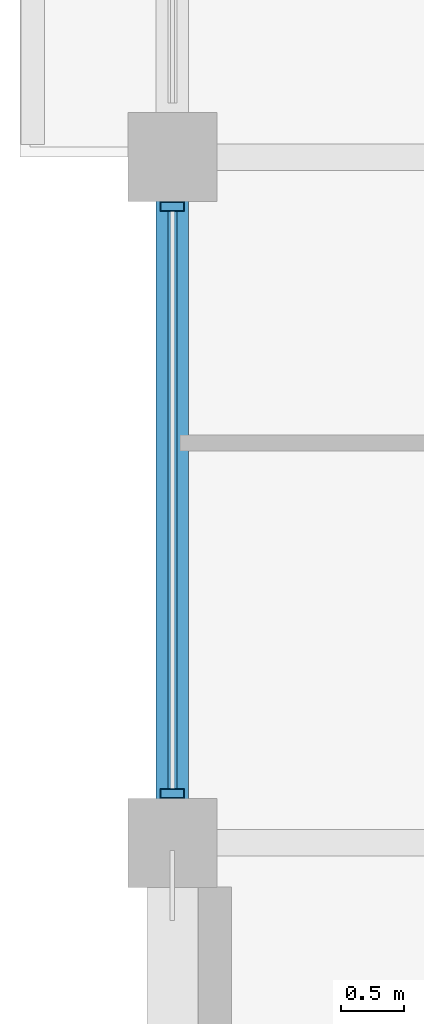
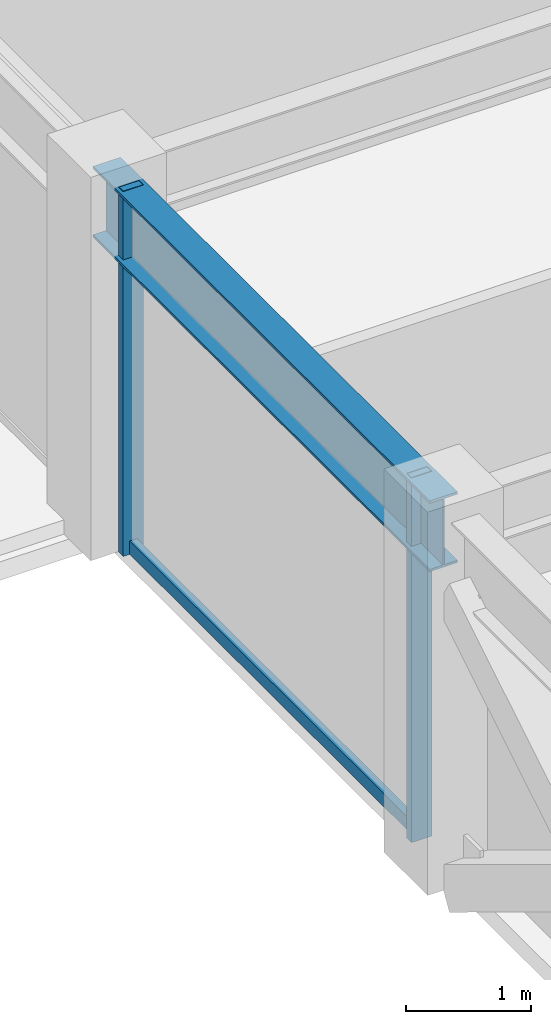
# One storey, part 4 of 30: 3 members, 1 beam, 1 element without a shape of its own.
"""IFC4 building model written with IfcOpenShell, lengths in metres."""

from ifc_helpers import new_model, si_unit, direction, frame, origin, origin_2d, place, context, subcontext, project, spatial, hollow_rectangle, i_section, extrude, material, layer, layer_set, material_profile, profile_set, type_object, element, aggregate, save


model = new_model("IFC4")

# Units and contexts
model_context = context("Model", 3, precision=1e-05, world=origin(), true_north=direction((0.0, 1.0)))
body_context = subcontext(model_context, "Body", "Model", "MODEL_VIEW")
ifc_project = project(units=[si_unit("LENGTHUNIT", "METRE"), si_unit("AREAUNIT", "SQUARE_METRE"), si_unit("VOLUMEUNIT", "CUBIC_METRE"), si_unit("PLANEANGLEUNIT", "RADIAN"), si_unit("MASSUNIT", "GRAM", prefix="KILO")], contexts=[model_context])

# Site, building, storey
site_placement = place(None, origin())
site = spatial("IfcSite", under=ifc_project, at=site_placement, CompositionType="ELEMENT")
building_placement = place(site_placement, origin())
building = spatial("IfcBuilding", under=site, at=building_placement, Name="Surkhivell Harbour Commons", CompositionType="ELEMENT")
storey_placement = place(building_placement, frame((0.0, 0.0, 281.25)))
storey = spatial("IfcBuildingStorey", under=building, at=storey_placement, Name="L73", CompositionType="ELEMENT", Elevation=281.25)

# Beam
ifc_material_1 = material(Name="Steel S355", Category="steel")
ifc_material_profile_1 = material_profile(ifc_material_1, i_section(OverallWidth=0.256103515625, OverallDepth=0.693115234375, WebThickness=0.014404296875, FlangeThickness=0.023681640625, at=origin_2d()), Name="UB686x254x170")
ifc_profile_set_1 = profile_set([ifc_material_profile_1], Name="Steel S355")
beam_type = type_object("IfcBeamType", Name="BM-SPN-686", PredefinedType="SPANDREL", material=ifc_profile_set_1)
beam_placement = place(storey_placement, frame((-27.0, -10.800048828125, 3.223388671875), z_axis=(0.0, 1.0, 0.0), x_axis=(-1.0, 0.0, 0.0)))
element("IfcBeam", 1, at=beam_placement, inside=storey, type_object=beam_type, Name="L73 Tube Spandrel (-27.0,-10.8)", PredefinedType="SPANDREL", context=body_context, shape_type="SweptSolid", body=[
    extrude(i_section(OverallWidth=0.256103515625, OverallDepth=0.693115234375, WebThickness=0.014404296875, FlangeThickness=0.023681640625, at=origin_2d()), origin(), (0.0, 0.0, 1.0), 5.400146484375),
])

# Curtain wall, members
ifc_material_2 = material(Name="Anodised pale-metal aluminium and insulated glazing", Category="aluminium")
ifc_layer = layer(ifc_material_2, 0.175048828125)
ifc_layer_set = layer_set([ifc_layer], Name="Anodised pale-metal aluminium and insulated glazing")
curtain_wall_type = type_object("IfcCurtainWallType", Name="CW-SYS-Z4", PredefinedType="NOTDEFINED", material=ifc_layer_set)
curtain_wall_placement = place(storey_placement, origin())
curtain_wall = element("IfcCurtainWall", 2, at=curtain_wall_placement, inside=storey, type_object=curtain_wall_type, Name="L73 Curtain Wall CW-L73-E12S1", PredefinedType="NOTDEFINED")
ifc_material_3 = material(Name="Anodised pale-metal aluminium alloy 6063-T6", Category="aluminium")
ifc_material_profile_2 = material_profile(ifc_material_3, hollow_rectangle(XDim=0.074951171875, YDim=0.18994140625, WallThickness=0.00390625, at=origin_2d()), Name="ALU-MULL-75x190")
ifc_profile_set_2 = profile_set([ifc_material_profile_2], Name="Anodised pale-metal aluminium alloy 6063-T6")
member_type_1 = type_object("IfcMemberType", Name="CWM-190", PredefinedType="MULLION", material=ifc_profile_set_2)
member_1_placement = place(storey_placement, frame((-27.0, -5.78955078125, 0.0), z_axis=(0.0, 0.0, 1.0), x_axis=(0.0, -1.0, 0.0)))
member_1 = element("IfcMember", 3, at=member_1_placement, type_object=member_type_1, Name="CW-Z4 mullion 6", PredefinedType="MULLION", context=body_context, shape_type="SweptSolid", body=[
    extrude(hollow_rectangle(XDim=0.074951171875, YDim=0.18994140625, WallThickness=0.00390625, at=origin_2d()), origin(), (0.0, 0.0, 1.0), 3.570068359375),
])
member_2_placement = place(storey_placement, frame((-27.0, -10.410400390625, 0.0), z_axis=(0.0, 0.0, 1.0), x_axis=(0.0, -1.0, 0.0)))
member_2 = element("IfcMember", 4, at=member_2_placement, type_object=member_type_1, Name="CW-Z4 mullion 7", PredefinedType="MULLION", context=body_context, shape_type="SweptSolid", body=[
    extrude(hollow_rectangle(XDim=0.074951171875, YDim=0.18994140625, WallThickness=0.00390625, at=origin_2d()), origin(), (0.0, 0.0, 1.0), 3.570068359375),
])
ifc_material_4 = material(Name="Champagne anodised aluminium alloy 6063-T6", Category="aluminium")
ifc_material_profile_3 = material_profile(ifc_material_4, hollow_rectangle(XDim=0.070068359375, YDim=0.1298828125, WallThickness=0.00341796875, at=origin_2d()), Name="ALU-TRAN-70x130")
ifc_profile_set_3 = profile_set([ifc_material_profile_3], Name="Champagne anodised aluminium alloy 6063-T6")
member_type_2 = type_object("IfcMemberType", Name="CWT-130", PredefinedType="USERDEFINED", material=ifc_profile_set_3)
member_3_placement = place(storey_placement, frame((-27.0, -5.826904296875, 0.06494140625), z_axis=(0.0, -1.0, 0.0), x_axis=(1.0, 0.0, 0.0)))
member_3 = element("IfcMember", 5, at=member_3_placement, type_object=member_type_2, Name="CW-Z4 transom 6.1", ObjectType="TRANSOM", PredefinedType="USERDEFINED", context=body_context, shape_type="SweptSolid", body=[
    extrude(hollow_rectangle(XDim=0.070068359375, YDim=0.1298828125, WallThickness=0.00341796875, at=origin_2d()), origin(), (0.0, 0.0, 1.0), 4.546142578125),
])
aggregate(curtain_wall, [member_1, member_2, member_3])

save(model, "model.ifc")
